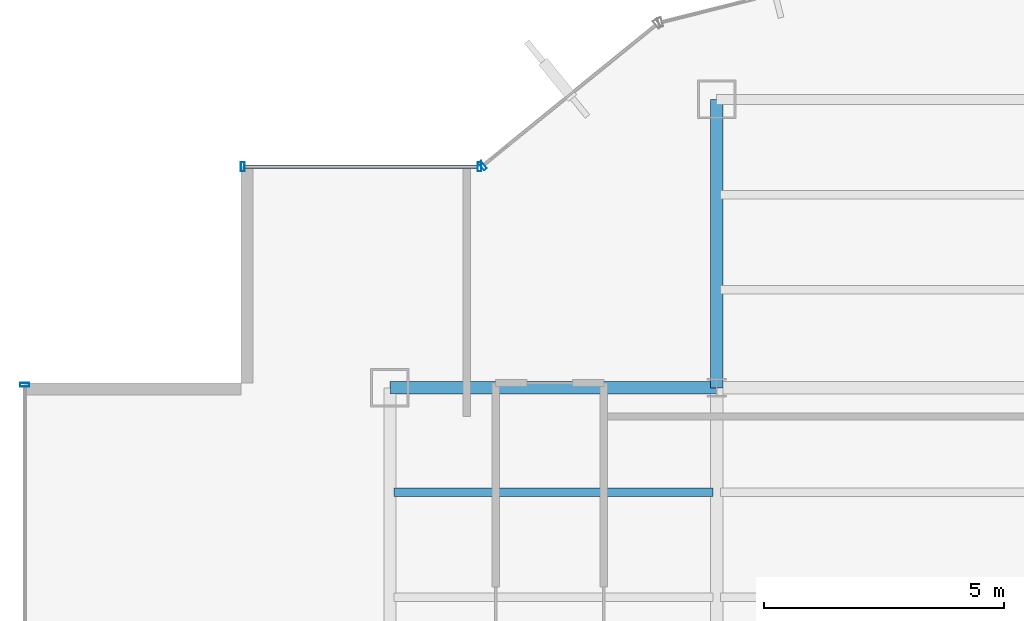
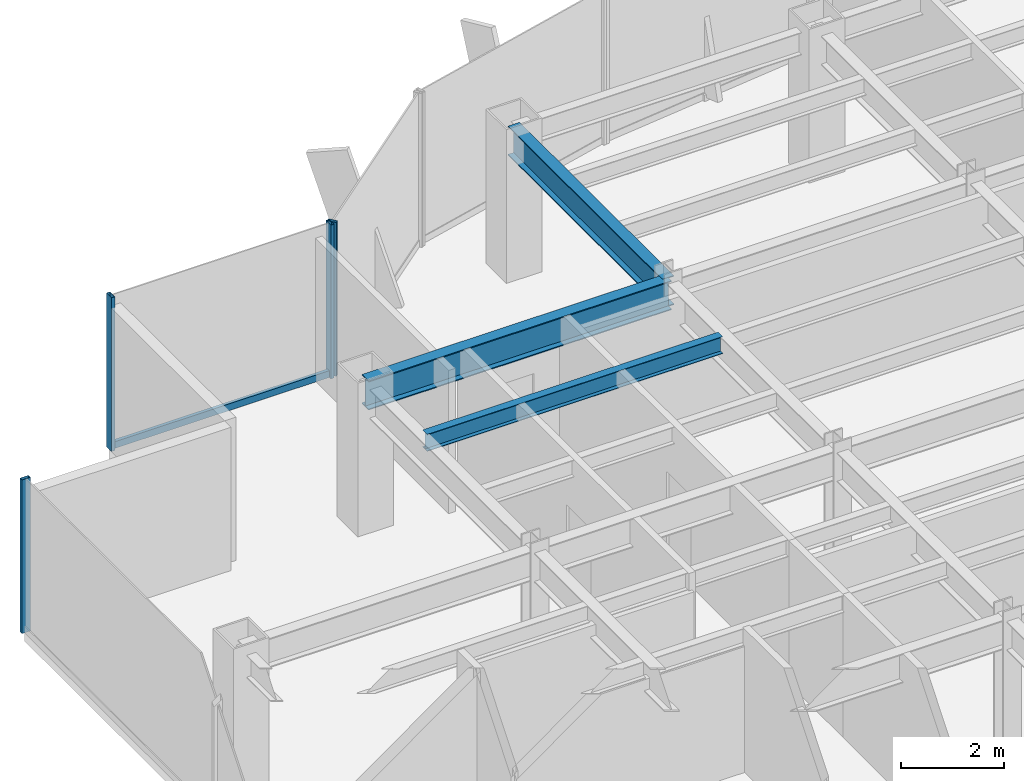
# One storey, part 12 of 25: 5 members, 3 beams, 3 elements without a shape of their own.
"""IFC4 building model written with IfcOpenShell, lengths in metres."""

from ifc_helpers import new_model, si_unit, derived_unit, direction, frame, origin, origin_2d, place, context, subcontext, project, spatial, hollow_rectangle, i_section, extrude, source, transform, mapped, material, material_profile, profile_set, type_object, element, aggregate, save


model = new_model("IFC4")

# Units and contexts
model_context = context("Model", 3, precision=1e-05, world=origin(), true_north=direction((0.0, 1.0)))
body_context = subcontext(model_context, "Body", "Model", "MODEL_VIEW")
ifc_project = project(units=[si_unit("LENGTHUNIT", "METRE"), si_unit("AREAUNIT", "SQUARE_METRE"), si_unit("VOLUMEUNIT", "CUBIC_METRE"), si_unit("PLANEANGLEUNIT", "RADIAN"), si_unit("MASSUNIT", "GRAM", prefix="KILO"), derived_unit("THERMALTRANSMITTANCEUNIT", [(si_unit("POWERUNIT", "WATT"), 1), (si_unit("LENGTHUNIT", "METRE"), -2), (si_unit("THERMODYNAMICTEMPERATUREUNIT", "KELVIN"), -1)])], contexts=[model_context])

# Site, building, storey
site_placement = place(None, origin())
site = spatial("IfcSite", under=ifc_project, at=site_placement, CompositionType="ELEMENT")
building_placement = place(site_placement, origin())
building = spatial("IfcBuilding", under=site, at=building_placement, Name="Skarnbrae Concourse Arena and Tower", CompositionType="ELEMENT")
storey_placement = place(building_placement, frame((0.0, 0.0, 88.64990234375)))
storey = spatial("IfcBuildingStorey", under=building, at=storey_placement, Name="L21", CompositionType="ELEMENT", Elevation=88.64990234375)

# Beams
ifc_material_1 = material(Name="Steel CSA G40.21 350W", Category="steel")
ifc_material_profile_1 = material_profile(ifc_material_1, i_section(OverallWidth=0.256103515625, OverallDepth=0.693115234375, WebThickness=0.014404296875, FlangeThickness=0.023681640625, at=origin_2d()), Name="W690X170")
ifc_profile_set_1 = profile_set([ifc_material_profile_1], Name="Steel CSA G40.21 350W")
beam_type_1 = type_object("IfcBeamType", Name="BM-GIRD-W690X170", PredefinedType="BEAM", material=ifc_profile_set_1)
shared_shape_1 = source(origin(), body_context, "Body", "SweptSolid", [
    extrude(i_section(OverallWidth=0.256103515625, OverallDepth=0.693115234375, WebThickness=0.014404296875, FlangeThickness=0.023681640625, at=origin_2d()), origin(), (0.0, 0.0, 1.0), 6.7998046875),
])
beam_1_placement = place(storey_placement, frame((7.60009765625, 34.39990234375, 3.0537109375), z_axis=(1.0, 0.0, 0.0), x_axis=(0.0, 1.0, 0.0)))
element("IfcBeam", 1, at=beam_1_placement, inside=storey, type_object=beam_type_1, Name="L21 Primary E-W girder Y34.4-1", PredefinedType="BEAM", context=body_context, shape_type="MappedRepresentation", body=[
    mapped(shared_shape_1, transform((0.0, 0.0, 0.0))),
])
shared_shape_2 = source(origin(), body_context, "Body", "SweptSolid", [
    extrude(i_section(OverallWidth=0.256103515625, OverallDepth=0.693115234375, WebThickness=0.014404296875, FlangeThickness=0.023681640625, at=origin_2d()), origin(), (0.0, 0.0, 1.0), 6.0),
])
beam_2_placement = place(storey_placement, frame((14.39990234375, 34.39990234375, 3.0537109375), z_axis=(0.0, 1.0, 0.0), x_axis=(-1.0, 0.0, 0.0)))
element("IfcBeam", 2, at=beam_2_placement, inside=storey, type_object=beam_type_1, Name="L21 Primary N-S girder X14.4-4", PredefinedType="BEAM", context=body_context, shape_type="MappedRepresentation", body=[
    mapped(shared_shape_2, transform((0.0, 0.0, 0.0))),
])
ifc_material_profile_2 = material_profile(ifc_material_1, i_section(OverallWidth=0.177978515625, OverallDepth=0.406982421875, WebThickness=0.0078125, FlangeThickness=0.0126953125, at=origin_2d()), Name="W410X60")
ifc_profile_set_2 = profile_set([ifc_material_profile_2], Name="Steel CSA G40.21 350W")
beam_type_2 = type_object("IfcBeamType", Name="BM-JOIST-W410X60", PredefinedType="JOIST", material=ifc_profile_set_2)
shared_shape_3 = source(origin(), body_context, "Body", "SweptSolid", [
    extrude(i_section(OverallWidth=0.177978515625, OverallDepth=0.406982421875, WebThickness=0.0078125, FlangeThickness=0.0126953125, at=origin_2d()), origin(), (0.0, 0.0, 1.0), 6.64013671875),
])
beam_3_placement = place(storey_placement, frame((7.679931640625, 32.221923828125, 3.196533203125), z_axis=(1.0, 0.0, 0.0), x_axis=(0.0, 1.0, 0.0)))
element("IfcBeam", 3, at=beam_3_placement, inside=storey, type_object=beam_type_2, Name="L21 Secondary floor joist 3.2.1", PredefinedType="JOIST", context=body_context, shape_type="MappedRepresentation", body=[
    mapped(shared_shape_3, transform((0.0, 0.0, 0.0))),
])

# Curtain wall, member
ifc_material_2 = material(Name="Bronze anodised aluminium 6063-T6", Category="aluminium")
curtain_wall_type = type_object("IfcCurtainWallType", Name="CW-SYS-04-MIDZONE", PredefinedType="USERDEFINED", material=ifc_material_2)
curtain_wall_1_placement = place(storey_placement, origin())
curtain_wall_1 = element("IfcCurtainWall", 4, at=curtain_wall_1_placement, inside=storey, type_object=curtain_wall_type, Name="L21 Unitised curtain wall CW-L21-E15", ObjectType="UNITISED CURTAIN WALL", PredefinedType="USERDEFINED")
ifc_material_profile_3 = material_profile(ifc_material_2, hollow_rectangle(XDim=0.074951171875, YDim=0.195068359375, WallThickness=0.00439453125, at=origin_2d()), Name="ALU-MULL-75X195")
ifc_profile_set_3 = profile_set([ifc_material_profile_3], Name="Bronze anodised aluminium 6063-T6")
member_type_1 = type_object("IfcMemberType", Name="CWM-CW-04", PredefinedType="MULLION", material=ifc_profile_set_3)
shared_shape_4 = source(origin(), body_context, "Body", "SweptSolid", [
    extrude(hollow_rectangle(XDim=0.074951171875, YDim=0.195068359375, WallThickness=0.00439453125, at=origin_2d()), origin(), (0.0, 0.0, 1.0), 3.650146484375),
])
member_1_placement = place(storey_placement, frame((9.529052734375, 39.023681640625, 0.0), z_axis=(0.0, 0.0, 1.0), x_axis=(-0.776241200471, -0.630436038542, 0.0)))
member_1 = element("IfcMember", 5, at=member_1_placement, type_object=member_type_1, Name="CW-L21-E15 Mullion 2", PredefinedType="MULLION", context=body_context, shape_type="MappedRepresentation", body=[
    mapped(shared_shape_4, transform((0.0, 0.0, 0.0))),
])
aggregate(curtain_wall_1, [member_1])

# Curtain wall, members
curtain_wall_2_placement = place(storey_placement, origin())
curtain_wall_2 = element("IfcCurtainWall", 6, at=curtain_wall_2_placement, inside=storey, type_object=curtain_wall_type, Name="L21 Unitised curtain wall CW-L21-E16", ObjectType="UNITISED CURTAIN WALL", PredefinedType="USERDEFINED")
member_2_placement = place(storey_placement, frame((9.46240234375, 39.0, 0.0), z_axis=(0.0, 0.0, 1.0), x_axis=(-1.0, 0.0, 0.0)))
member_2 = element("IfcMember", 7, at=member_2_placement, type_object=member_type_1, Name="CW-L21-E16 Mullion 1", PredefinedType="MULLION", context=body_context, shape_type="MappedRepresentation", body=[
    mapped(shared_shape_4, transform((0.0, 0.0, 0.0))),
])
member_3_placement = place(storey_placement, frame((4.53759765625, 39.0, 0.0), z_axis=(0.0, 0.0, 1.0), x_axis=(-1.0, 0.0, 0.0)))
member_3 = element("IfcMember", 8, at=member_3_placement, type_object=member_type_1, Name="CW-L21-E16 Mullion 2", PredefinedType="MULLION", context=body_context, shape_type="MappedRepresentation", body=[
    mapped(shared_shape_4, transform((0.0, 0.0, 0.0))),
])

# Curtain wall, member
curtain_wall_3_placement = place(storey_placement, origin())
curtain_wall_3 = element("IfcCurtainWall", 9, at=curtain_wall_3_placement, inside=storey, type_object=curtain_wall_type, Name="L21 Unitised curtain wall CW-L21-E19", ObjectType="UNITISED CURTAIN WALL", PredefinedType="USERDEFINED")
member_4_placement = place(storey_placement, frame((0.0, 34.46240234375, 0.0), z_axis=(0.0, 0.0, 1.0), x_axis=(0.0, -1.0, 0.0)))
member_4 = element("IfcMember", 10, at=member_4_placement, type_object=member_type_1, Name="CW-L21-E19 Mullion 1", PredefinedType="MULLION", context=body_context, shape_type="MappedRepresentation", body=[
    mapped(shared_shape_4, transform((0.0, 0.0, 0.0))),
])
aggregate(curtain_wall_3, [member_4])

# Member
ifc_material_profile_4 = material_profile(ifc_material_2, hollow_rectangle(XDim=0.074951171875, YDim=0.159912109375, WallThickness=0.00439453125, at=origin_2d()), Name="ALU-TRAN-75X160")
ifc_profile_set_4 = profile_set([ifc_material_profile_4], Name="Bronze anodised aluminium 6063-T6")
member_type_2 = type_object("IfcMemberType", Name="CWT-CW-04", PredefinedType="USERDEFINED", material=ifc_profile_set_4)
shared_shape_5 = source(origin(), body_context, "Body", "SweptSolid", [
    extrude(hollow_rectangle(XDim=0.074951171875, YDim=0.159912109375, WallThickness=0.00439453125, at=origin_2d()), origin(), (0.0, 0.0, 1.0), 4.85009765625),
])
member_5_placement = place(storey_placement, frame((9.425048828125, 39.0, 0.080078125), z_axis=(-1.0, 0.0, 0.0), x_axis=(0.0, -1.0, 0.0)))
member_5 = element("IfcMember", 11, at=member_5_placement, type_object=member_type_2, Name="CW-L21-E16 Transom 1", ObjectType="TRANSOM", PredefinedType="USERDEFINED", context=body_context, shape_type="MappedRepresentation", body=[
    mapped(shared_shape_5, transform((0.0, 0.0, 0.0))),
])

aggregate(curtain_wall_2, [member_2, member_3, member_5])

save(model, "model.ifc")
